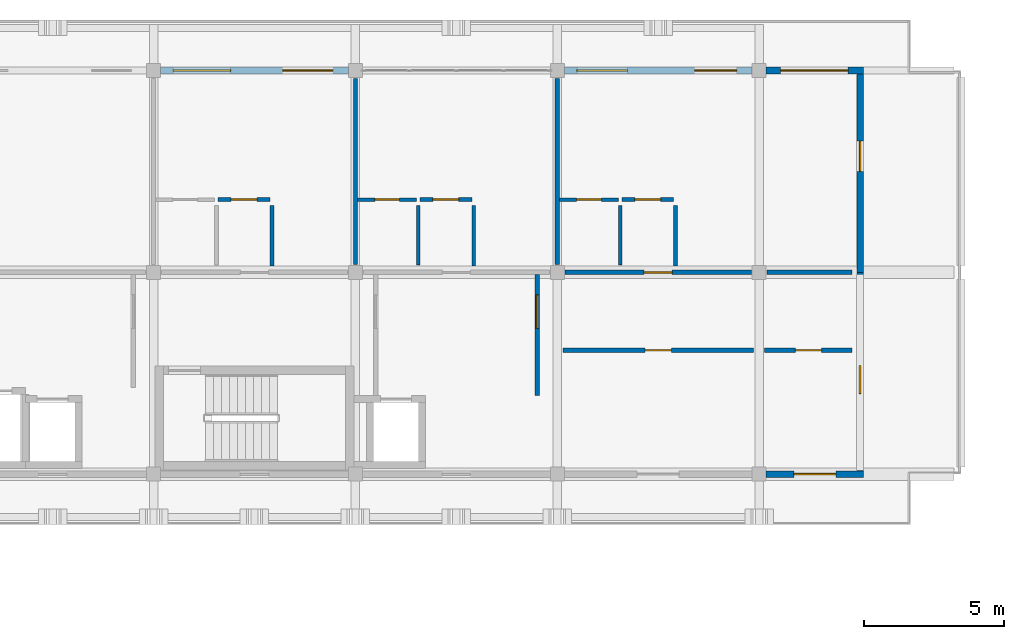
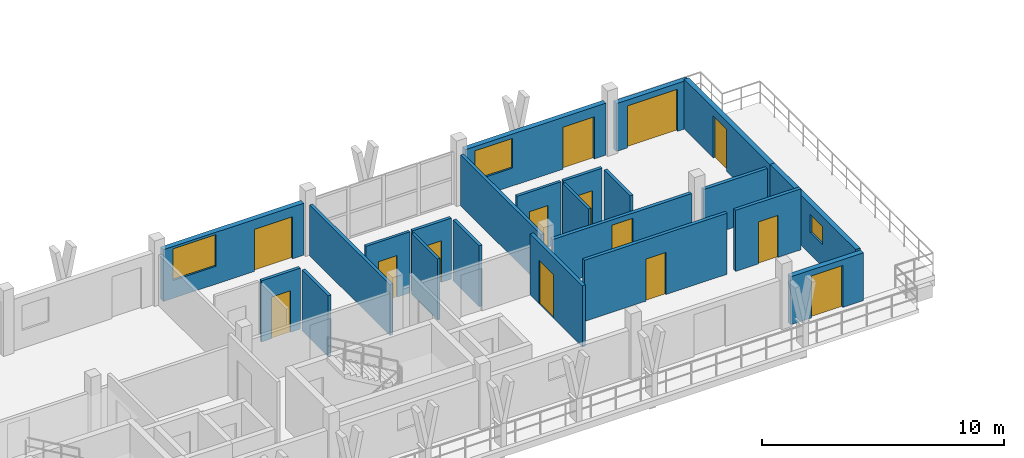
# One storey, part 15 of 19: 23 walls, 14 doors, 3 windows, 17 openings.
"""IFC4 building model written with IfcOpenShell, lengths in metres."""

from ifc_helpers import new_model, si_unit, direction, frame, frame_2d, origin, place, context, subcontext, project, spatial, rectangle, extrude, material, layer, layer_set, type_object, element, fill, save


model = new_model("IFC4")

# Units and contexts
model_context = context("Model", 3, precision=1e-05, world=origin(), true_north=direction((0.0, 1.0)))
body_context = subcontext(model_context, "Body", "Model", "MODEL_VIEW")
ifc_project = project(units=[si_unit("LENGTHUNIT", "METRE"), si_unit("AREAUNIT", "SQUARE_METRE"), si_unit("VOLUMEUNIT", "CUBIC_METRE"), si_unit("PLANEANGLEUNIT", "RADIAN"), si_unit("MASSUNIT", "GRAM", prefix="KILO")], contexts=[model_context])

# Site, building, storey
site_placement = place(None, origin())
site = spatial("IfcSite", under=ifc_project, at=site_placement, CompositionType="ELEMENT")
building_placement = place(site_placement, origin())
building = spatial("IfcBuilding", under=site, at=building_placement, Name="Suanplinth Sawtooth Commons", CompositionType="ELEMENT")
storey_placement = place(building_placement, frame((0.0, 0.0, 44.39990234375)))
storey = spatial("IfcBuildingStorey", under=building, at=storey_placement, Name="L13", CompositionType="ELEMENT", Elevation=44.39990234375)

# Wall, openings, door, window
ifc_material_1 = material(Name="Precast concrete C40/50", Category="concrete")
ifc_layer_1 = layer(ifc_material_1, 0.239990234375, Name="Upper insulated precast facade wall 240mm")
ifc_layer_set_1 = layer_set([ifc_layer_1], Name="Precast concrete C40/50")
wall_type_1 = type_object("IfcWallType", Name="W-EX03", PredefinedType="ELEMENTEDWALL", material=ifc_layer_set_1)
wall_1_placement = place(storey_placement, frame((57.85009765625, 122.39990234375, 0.0), z_axis=(0.0, 0.0, 1.0), x_axis=(1.0, 0.0, 0.0)))
wall_1 = element("IfcWall", 1, at=wall_1_placement, inside=storey, type_object=wall_type_1, Name="Facade Wall W-L13-A-N-4", PredefinedType="ELEMENTEDWALL", context=body_context, shape_type="SweptSolid", body=[
    extrude(rectangle(XDim=6.699951171875, YDim=0.239990234375, at=frame_2d((3.35009765625, 0.0))), origin(), (0.0, 0.0, 1.0), 2.614990234375),
])
opening_1_placement = place(wall_1_placement, frame((4.35009765625, 0.0, 0.0)))
opening_1 = element("IfcOpeningElement", 2, at=opening_1_placement, cuts=wall_1, Name="Opening ED0838", PredefinedType="OPENING", context=body_context, shape_type="SweptSolid", body=[
    extrude(rectangle(XDim=1.800048828125, YDim=2.1201171875, at=frame_2d((0.89990234375, 1.06005859375))), frame((0.0, 0.134765625, 0.0), z_axis=(0.0, -1.0, 0.0), x_axis=(1.0, 0.0, 0.0)), (0.0, 0.0, 1.0), 0.269775390625),
])
opening_2_placement = place(wall_1_placement, frame((0.449951171875, 0.0, 0.89990234375)))
opening_2 = element("IfcOpeningElement", 3, at=opening_2_placement, cuts=wall_1, Name="Opening W0921", PredefinedType="OPENING", context=body_context, shape_type="SweptSolid", body=[
    extrude(rectangle(XDim=2.050048828125, YDim=1.60009765625, at=frame_2d((1.02490234375, 0.800048828125))), frame((0.0, 0.134765625, 0.0), z_axis=(0.0, -1.0, 0.0), x_axis=(1.0, 0.0, 0.0)), (0.0, 0.0, 1.0), 0.269775390625),
])
ifc_material_2 = material(Name="Anodized aluminium and low-E glass", Category="aluminium")
door_type_1 = type_object("IfcDoorType", Name="SD-01", OperationType="SLIDING_TO_LEFT", PredefinedType="DOOR", material=ifc_material_2)
door_1_placement = place(opening_1_placement, frame((1.800048828125, 0.0, 0.0), z_axis=(0.0, 0.0, 1.0), x_axis=(-1.0, 0.0, 0.0)))
door_1 = element("IfcDoor", 4, at=door_1_placement, inside=storey, type_object=door_type_1, Name="Balcony Sliding Door L13-A-N-4", OperationType="SLIDING_TO_LEFT", OverallHeight=2.1201171875, OverallWidth=1.800048828125, PredefinedType="DOOR", context=body_context, shape_type="SweptSolid", body=[
    extrude(rectangle(XDim=1.800048828125, YDim=2.1201171875, at=frame_2d((0.89990234375, 1.06005859375))), frame((0.0, 0.02490234375, 0.0), z_axis=(0.0, -1.0, 0.0), x_axis=(1.0, 0.0, 0.0)), (0.0, 0.0, 1.0), 0.050048828125),
])
fill(opening_1, door_1)
ifc_material_3 = material(Name="Thermally broken aluminium and low-E double glazing", Category="aluminium")
window_type_1 = type_object("IfcWindowType", Name="WN-25", PartitioningType="DOUBLE_PANEL_VERTICAL", PredefinedType="WINDOW", material=ifc_material_3)
window_1_placement = place(opening_2_placement, origin())
window_1 = element("IfcWindow", 5, at=window_1_placement, inside=storey, type_object=window_type_1, Name="Window L13-A-N-4", OverallHeight=1.60009765625, OverallWidth=2.050048828125, PartitioningType="DOUBLE_PANEL_VERTICAL", PredefinedType="WINDOW", context=body_context, shape_type="SweptSolid", body=[
    extrude(rectangle(XDim=2.050048828125, YDim=1.60009765625, at=frame_2d((1.02490234375, 0.800048828125))), frame((0.0, 0.030029296875, 0.0), z_axis=(0.0, -1.0, 0.0), x_axis=(1.0, 0.0, 0.0)), (0.0, 0.0, 1.0), 0.06005859375),
])
fill(opening_2, window_1)

wall_2_placement = place(storey_placement, frame((72.25, 122.39990234375, 0.0), z_axis=(0.0, 0.0, 1.0), x_axis=(1.0, 0.0, 0.0)))
wall_2 = element("IfcWall", 6, at=wall_2_placement, inside=storey, type_object=wall_type_1, Name="Facade Wall W-L13-A-N-6", PredefinedType="ELEMENTEDWALL", context=body_context, shape_type="SweptSolid", body=[
    extrude(rectangle(XDim=6.699951171875, YDim=0.239990234375, at=frame_2d((3.35009765625, 0.0))), origin(), (0.0, 0.0, 1.0), 2.614990234375),
])
opening_3_placement = place(wall_2_placement, frame((4.64990234375, 0.0, 0.0)))
opening_3 = element("IfcOpeningElement", 7, at=opening_3_placement, cuts=wall_2, Name="Opening ED0839", PredefinedType="OPENING", context=body_context, shape_type="SweptSolid", body=[
    extrude(rectangle(XDim=1.5, YDim=2.1201171875, at=frame_2d((0.75, 1.06005859375))), frame((0.0, 0.134765625, 0.0), z_axis=(0.0, -1.0, 0.0), x_axis=(1.0, 0.0, 0.0)), (0.0, 0.0, 1.0), 0.269775390625),
])
opening_4_placement = place(wall_2_placement, frame((0.449951171875, 0.0, 0.89990234375)))
opening_4 = element("IfcOpeningElement", 8, at=opening_4_placement, cuts=wall_2, Name="Opening W0924", PredefinedType="OPENING", context=body_context, shape_type="SweptSolid", body=[
    extrude(rectangle(XDim=1.800048828125, YDim=1.5, at=frame_2d((0.89990234375, 0.75))), frame((0.0, 0.134765625, 0.0), z_axis=(0.0, -1.0, 0.0), x_axis=(1.0, 0.0, 0.0)), (0.0, 0.0, 1.0), 0.269775390625),
])
door_type_2 = type_object("IfcDoorType", Name="SD-03", OperationType="SLIDING_TO_LEFT", PredefinedType="DOOR", material=ifc_material_2)
door_2_placement = place(opening_3_placement, frame((1.5, 0.0, 0.0), z_axis=(0.0, 0.0, 1.0), x_axis=(-1.0, 0.0, 0.0)))
door_2 = element("IfcDoor", 9, at=door_2_placement, inside=storey, type_object=door_type_2, Name="Balcony Sliding Door L13-A-N-6", OperationType="SLIDING_TO_LEFT", OverallHeight=2.1201171875, OverallWidth=1.5, PredefinedType="DOOR", context=body_context, shape_type="SweptSolid", body=[
    extrude(rectangle(XDim=1.5, YDim=2.1201171875, at=frame_2d((0.75, 1.06005859375))), frame((0.0, 0.02490234375, 0.0), z_axis=(0.0, -1.0, 0.0), x_axis=(1.0, 0.0, 0.0)), (0.0, 0.0, 1.0), 0.050048828125),
])
fill(opening_3, door_2)
window_type_2 = type_object("IfcWindowType", Name="WN-01", PartitioningType="DOUBLE_PANEL_VERTICAL", PredefinedType="WINDOW", material=ifc_material_3)
window_2_placement = place(opening_4_placement, origin())
window_2 = element("IfcWindow", 10, at=window_2_placement, inside=storey, type_object=window_type_2, Name="Window L13-A-N-6", OverallHeight=1.5, OverallWidth=1.800048828125, PartitioningType="DOUBLE_PANEL_VERTICAL", PredefinedType="WINDOW", context=body_context, shape_type="SweptSolid", body=[
    extrude(rectangle(XDim=1.800048828125, YDim=1.5, at=frame_2d((0.89990234375, 0.75))), frame((0.0, 0.030029296875, 0.0), z_axis=(0.0, -1.0, 0.0), x_axis=(1.0, 0.0, 0.0)), (0.0, 0.0, 1.0), 0.06005859375),
])
fill(opening_4, window_2)

# Wall, opening, door
wall_3_placement = place(storey_placement, frame((79.449951171875, 122.39990234375, 0.0), z_axis=(0.0, 0.0, 1.0), x_axis=(1.0, 0.0, 0.0)))
wall_3 = element("IfcWall", 11, at=wall_3_placement, inside=storey, type_object=wall_type_1, Name="Facade Wall W-L13-A-N-7", PredefinedType="ELEMENTEDWALL", context=body_context, shape_type="SweptSolid", body=[
    extrude(rectangle(XDim=3.469970703125, YDim=0.239990234375, at=frame_2d((1.73486328125, 0.0))), origin(), (0.0, 0.0, 1.0), 2.4150390625),
])
opening_5_placement = place(wall_3_placement, frame((0.52001953125, 0.0, 0.0)))
opening_5 = element("IfcOpeningElement", 12, at=opening_5_placement, cuts=wall_3, Name="Opening ED0841", PredefinedType="OPENING", context=body_context, shape_type="SweptSolid", body=[
    extrude(rectangle(XDim=2.39990234375, YDim=2.1201171875, at=frame_2d((1.199951171875, 1.06005859375))), frame((0.0, 0.134765625, 0.0), z_axis=(0.0, -1.0, 0.0), x_axis=(1.0, 0.0, 0.0)), (0.0, 0.0, 1.0), 0.269775390625),
])
door_type_3 = type_object("IfcDoorType", Name="SD-04", OperationType="DOUBLE_DOOR_SLIDING", PredefinedType="DOOR", material=ifc_material_2)
door_3_placement = place(opening_5_placement, frame((2.39990234375, 0.0, 0.0), z_axis=(0.0, 0.0, 1.0), x_axis=(-1.0, 0.0, 0.0)))
door_3 = element("IfcDoor", 13, at=door_3_placement, inside=storey, type_object=door_type_3, Name="Balcony Sliding Door L13-A-N-7", OperationType="DOUBLE_DOOR_SLIDING", OverallHeight=2.1201171875, OverallWidth=2.39990234375, PredefinedType="DOOR", context=body_context, shape_type="SweptSolid", body=[
    extrude(rectangle(XDim=2.39990234375, YDim=2.1201171875, at=frame_2d((1.199951171875, 1.06005859375))), frame((0.0, 0.02490234375, 0.0), z_axis=(0.0, -1.0, 0.0), x_axis=(1.0, 0.0, 0.0)), (0.0, 0.0, 1.0), 0.050048828125),
])
fill(opening_5, door_3)

wall_4_placement = place(storey_placement, frame((79.449951171875, 108.0, 0.0), z_axis=(0.0, 0.0, 1.0), x_axis=(1.0, 0.0, 0.0)))
wall_4 = element("IfcWall", 14, at=wall_4_placement, inside=storey, type_object=wall_type_1, Name="Courtyard Wall W-L13-A-S-7", PredefinedType="ELEMENTEDWALL", context=body_context, shape_type="SweptSolid", body=[
    extrude(rectangle(XDim=3.469970703125, YDim=0.239990234375, at=frame_2d((1.73486328125, 0.0))), origin(), (0.0, 0.0, 1.0), 2.4150390625),
])
opening_6_placement = place(wall_4_placement, frame((0.985107421875, 0.0, 0.0)))
opening_6 = element("IfcOpeningElement", 15, at=opening_6_placement, cuts=wall_4, Name="Opening ED0842", PredefinedType="OPENING", context=body_context, shape_type="SweptSolid", body=[
    extrude(rectangle(XDim=1.5, YDim=2.1201171875, at=frame_2d((0.75, 1.06005859375))), frame((0.0, 0.134765625, 0.0), z_axis=(0.0, -1.0, 0.0), x_axis=(1.0, 0.0, 0.0)), (0.0, 0.0, 1.0), 0.269775390625),
])
door_4_placement = place(opening_6_placement, frame((1.5, 0.0, 0.0), z_axis=(0.0, 0.0, 1.0), x_axis=(-1.0, 0.0, 0.0)))
door_4 = element("IfcDoor", 16, at=door_4_placement, inside=storey, type_object=door_type_2, Name="Courtyard Balcony Sliding Door L13-A-S-7", OperationType="SLIDING_TO_LEFT", OverallHeight=2.1201171875, OverallWidth=1.5, PredefinedType="DOOR", context=body_context, shape_type="SweptSolid", body=[
    extrude(rectangle(XDim=1.5, YDim=2.1201171875, at=frame_2d((0.75, 1.06005859375))), frame((0.0, 0.02490234375, 0.0), z_axis=(0.0, -1.0, 0.0), x_axis=(1.0, 0.0, 0.0)), (0.0, 0.0, 1.0), 0.050048828125),
])
fill(opening_6, door_4)

# Wall, opening, window
ifc_layer_2 = layer(ifc_material_1, 0.22998046875, Name="Stepped terrace insulated precast wall 230mm")
ifc_layer_set_2 = layer_set([ifc_layer_2], Name="Precast concrete C40/50")
wall_type_2 = type_object("IfcWallType", Name="W-EX06", PredefinedType="ELEMENTEDWALL", material=ifc_layer_set_2)
wall_5_placement = place(storey_placement, frame((82.800048828125, 108.1201171875, 0.0), z_axis=(0.0, 0.0, 1.0), x_axis=(0.0, 1.0, 0.0)))
wall_5 = element("IfcWall", 17, at=wall_5_placement, inside=storey, type_object=wall_type_2, Name="End Wall W-L13-A-E-15", PredefinedType="ELEMENTEDWALL", context=body_context, shape_type="SweptSolid", body=[
    extrude(rectangle(XDim=7.079833984375, YDim=0.22998046875, at=frame_2d((3.5400390625, 0.0))), origin(), (0.0, 0.0, 1.0), 2.51513671875),
])
opening_7_placement = place(wall_5_placement, frame((2.75, 0.0, 1.10009765625)))
opening_7 = element("IfcOpeningElement", 18, at=opening_7_placement, cuts=wall_5, Name="Opening W0926", PredefinedType="OPENING", context=body_context, shape_type="SweptSolid", body=[
    extrude(rectangle(XDim=1.0, YDim=0.89990234375, at=frame_2d((0.5, 0.449951171875))), frame((0.0, 0.1298828125, 0.0), z_axis=(0.0, -1.0, 0.0), x_axis=(1.0, 0.0, 0.0)), (0.0, 0.0, 1.0), 0.259765625),
])
window_type_3 = type_object("IfcWindowType", Name="WN-12", PartitioningType="SINGLE_PANEL", PredefinedType="WINDOW", material=ifc_material_3)
window_3_placement = place(opening_7_placement, origin())
window_3 = element("IfcWindow", 19, at=window_3_placement, inside=storey, type_object=window_type_3, Name="End Window L13-A-E-15", OverallHeight=0.89990234375, OverallWidth=1.0, PartitioningType="SINGLE_PANEL", PredefinedType="WINDOW", context=body_context, shape_type="SweptSolid", body=[
    extrude(rectangle(XDim=1.0, YDim=0.89990234375, at=frame_2d((0.5, 0.449951171875))), frame((0.0, 0.030029296875, 0.0), z_axis=(0.0, -1.0, 0.0), x_axis=(1.0, 0.0, 0.0)), (0.0, 0.0, 1.0), 0.06005859375),
])
fill(opening_7, window_3)

# Wall, opening, door
wall_6_placement = place(storey_placement, frame((82.800048828125, 115.199951171875, 0.0), z_axis=(0.0, 0.0, 1.0), x_axis=(0.0, 1.0, 0.0)))
wall_6 = element("IfcWall", 20, at=wall_6_placement, inside=storey, type_object=wall_type_2, Name="End Wall W-L13-A-E-16", PredefinedType="ELEMENTEDWALL", context=body_context, shape_type="SweptSolid", body=[
    extrude(rectangle(XDim=7.080078125, YDim=0.22998046875, at=frame_2d((3.5400390625, 0.0))), origin(), (0.0, 0.0, 1.0), 2.51513671875),
])
opening_8_placement = place(wall_6_placement, frame((3.60009765625, 0.0, 0.0)))
opening_8 = element("IfcOpeningElement", 21, at=opening_8_placement, cuts=wall_6, Name="Opening ED0844", PredefinedType="OPENING", context=body_context, shape_type="SweptSolid", body=[
    extrude(rectangle(XDim=1.080078125, YDim=2.1201171875, at=frame_2d((0.5400390625, 1.06005859375))), frame((0.0, 0.1298828125, 0.0), z_axis=(0.0, -1.0, 0.0), x_axis=(1.0, 0.0, 0.0)), (0.0, 0.0, 1.0), 0.259765625),
])
door_type_4 = type_object("IfcDoorType", Name="ED-10", OperationType="NOTDEFINED", PredefinedType="DOOR", material=ifc_material_2)
door_5_placement = place(opening_8_placement, frame((1.080078125, 0.0, 0.0), z_axis=(0.0, 0.0, 1.0), x_axis=(-1.0, 0.0, 0.0)))
door_5 = element("IfcDoor", 22, at=door_5_placement, inside=storey, type_object=door_type_4, Name="L13 Block A E Stepped Terrace Door", OperationType="SINGLE_SWING_LEFT", OverallHeight=2.1201171875, OverallWidth=1.080078125, PredefinedType="DOOR", context=body_context, shape_type="SweptSolid", body=[
    extrude(rectangle(XDim=1.080078125, YDim=2.1201171875, at=frame_2d((0.5400390625, 1.06005859375))), frame((0.0, 0.02490234375, 0.0), z_axis=(0.0, -1.0, 0.0), x_axis=(1.0, 0.0, 0.0)), (0.0, 0.0, 1.0), 0.050048828125),
])
fill(opening_8, door_5)

ifc_layer_3 = layer(ifc_material_1, 0.159912109375, Name="Fire-rated corridor and lobby wall 160mm")
ifc_layer_set_3 = layer_set([ifc_layer_3], Name="Precast concrete C40/50")
wall_type_3 = type_object("IfcWallType", Name="W-FW01", PredefinedType="PARTITIONING", material=ifc_layer_set_3)
wall_7_placement = place(storey_placement, frame((71.280029296875, 110.800048828125, 0.0), z_axis=(0.0, 0.0, 1.0), x_axis=(0.0, 1.0, 0.0)))
wall_7 = element("IfcWall", 23, at=wall_7_placement, inside=storey, type_object=wall_type_3, Name="W-L13-C-A2-LOB-E", PredefinedType="PARTITIONING", context=body_context, shape_type="SweptSolid", body=[
    extrude(rectangle(XDim=4.320068359375, YDim=0.159912109375, at=frame_2d((2.16015625, 0.0))), origin(), (0.0, 0.0, 1.0), 3.080078125),
])
opening_9_placement = place(wall_7_placement, frame((2.39990234375, 0.0, 0.0)))
opening_9 = element("IfcOpeningElement", 24, at=opening_9_placement, cuts=wall_7, Name="Opening FD0144", PredefinedType="OPENING", context=body_context, shape_type="SweptSolid", body=[
    extrude(rectangle(XDim=1.199951171875, YDim=2.199951171875, at=frame_2d((0.60009765625, 1.10009765625))), frame((0.0, 0.0947265625, 0.0), z_axis=(0.0, -1.0, 0.0), x_axis=(1.0, 0.0, 0.0)), (0.0, 0.0, 1.0), 0.189697265625),
])
ifc_material_4 = material(Name="Teak hardwood fire-rated door assembly", Category="wood")
door_type_5 = type_object("IfcDoorType", Name="FD-02", OperationType="NOTDEFINED", PredefinedType="DOOR", material=ifc_material_4)
door_6_placement = place(opening_9_placement, frame((1.199951171875, 0.0, 0.0), z_axis=(0.0, 0.0, 1.0), x_axis=(-1.0, 0.0, 0.0)))
door_6 = element("IfcDoor", 25, at=door_6_placement, inside=storey, type_object=door_type_5, Name="Lobby Fire Door FD0144", OperationType="SINGLE_SWING_LEFT", OverallHeight=2.199951171875, OverallWidth=1.199951171875, PredefinedType="DOOR", context=body_context, shape_type="SweptSolid", body=[
    extrude(rectangle(XDim=1.199951171875, YDim=2.199951171875, at=frame_2d((0.60009765625, 1.10009765625))), frame((0.0, 0.02490234375, 0.0), z_axis=(0.0, -1.0, 0.0), x_axis=(1.0, 0.0, 0.0)), (0.0, 0.0, 1.0), 0.050048828125),
])
fill(opening_9, door_6)

wall_8_placement = place(storey_placement, frame((72.280029296875, 115.199951171875, 0.0), z_axis=(0.0, 0.0, 1.0), x_axis=(1.0, 0.0, 0.0)))
wall_8 = element("IfcWall", 26, at=wall_8_placement, inside=storey, type_object=wall_type_3, Name="W-A-L13-U05-COR-S1", PredefinedType="PARTITIONING", context=body_context, shape_type="SweptSolid", body=[
    extrude(rectangle(XDim=6.639892578125, YDim=0.159912109375, at=frame_2d((3.31982421875, 0.0))), origin(), (0.0, 0.0, 1.0), 2.4150390625),
])
opening_10_placement = place(wall_8_placement, frame((2.820068359375, 0.0, 0.0)))
opening_10 = element("IfcOpeningElement", 27, at=opening_10_placement, cuts=wall_8, Name="Opening FD2048", PredefinedType="OPENING", context=body_context, shape_type="SweptSolid", body=[
    extrude(rectangle(XDim=1.0, YDim=2.14990234375, at=frame_2d((0.5, 1.074951171875))), frame((0.0, 0.0947265625, 0.0), z_axis=(0.0, -1.0, 0.0), x_axis=(1.0, 0.0, 0.0)), (0.0, 0.0, 1.0), 0.189697265625),
])
door_type_6 = type_object("IfcDoorType", Name="FD-03", OperationType="NOTDEFINED", PredefinedType="DOOR", material=ifc_material_4)
door_7_placement = place(opening_10_placement, origin())
door_7 = element("IfcDoor", 28, at=door_7_placement, inside=storey, type_object=door_type_6, Name="Unit Entrance Door FD2048", OperationType="SINGLE_SWING_RIGHT", OverallHeight=2.14990234375, OverallWidth=1.0, PredefinedType="DOOR", context=body_context, shape_type="SweptSolid", body=[
    extrude(rectangle(XDim=1.0, YDim=2.14990234375, at=frame_2d((0.5, 1.074951171875))), frame((0.0, 0.02490234375, 0.0), z_axis=(0.0, -1.0, 0.0), x_axis=(1.0, 0.0, 0.0)), (0.0, 0.0, 1.0), 0.050048828125),
])
fill(opening_10, door_7)

# Wall
wall_9_placement = place(storey_placement, frame((79.47998046875, 115.199951171875, 0.0), z_axis=(0.0, 0.0, 1.0), x_axis=(1.0, 0.0, 0.0)))
element("IfcWall", 29, at=wall_9_placement, inside=storey, type_object=wall_type_3, Name="W-A-L13-U05-COR-S2", PredefinedType="PARTITIONING", context=body_context, shape_type="SweptSolid", body=[
    extrude(rectangle(XDim=3.0400390625, YDim=0.159912109375, at=frame_2d((1.52001953125, 0.0))), origin(), (0.0, 0.0, 1.0), 2.4150390625),
])

# Wall, opening, door
wall_10_placement = place(storey_placement, frame((72.199951171875, 112.419921875, 0.0), z_axis=(0.0, 0.0, 1.0), x_axis=(1.0, 0.0, 0.0)))
wall_10 = element("IfcWall", 30, at=wall_10_placement, inside=storey, type_object=wall_type_3, Name="W-A-L13-COURTROOM-7-COR", PredefinedType="PARTITIONING", context=body_context, shape_type="SweptSolid", body=[
    extrude(rectangle(XDim=6.800048828125, YDim=0.159912109375, at=frame_2d((3.39990234375, 0.0))), origin(), (0.0, 0.0, 1.0), 3.080078125),
])
opening_11_placement = place(wall_10_placement, frame((2.929931640625, 0.0, 0.0)))
opening_11 = element("IfcOpeningElement", 31, at=opening_11_placement, cuts=wall_10, Name="Opening D2053", PredefinedType="OPENING", context=body_context, shape_type="SweptSolid", body=[
    extrude(rectangle(XDim=0.93994140625, YDim=2.1201171875, at=frame_2d((0.469970703125, 1.06005859375))), frame((0.0, 0.0947265625, 0.0), z_axis=(0.0, -1.0, 0.0), x_axis=(1.0, 0.0, 0.0)), (0.0, 0.0, 1.0), 0.189697265625),
])
ifc_material_5 = material(Name="Teak hardwood", Category="wood")
door_type_7 = type_object("IfcDoorType", Name="D-15", OperationType="NOTDEFINED", PredefinedType="DOOR", material=ifc_material_5)
door_8_placement = place(opening_11_placement, frame((0.93994140625, 0.0, 0.0), z_axis=(0.0, 0.0, 1.0), x_axis=(-1.0, 0.0, 0.0)))
door_8 = element("IfcDoor", 32, at=door_8_placement, inside=storey, type_object=door_type_7, Name="Study Studio Door D2053", OperationType="SINGLE_SWING_LEFT", OverallHeight=2.1201171875, OverallWidth=0.93994140625, PredefinedType="DOOR", context=body_context, shape_type="SweptSolid", body=[
    extrude(rectangle(XDim=0.93994140625, YDim=2.1201171875, at=frame_2d((0.469970703125, 1.06005859375))), frame((0.0, 0.02490234375, 0.0), z_axis=(0.0, -1.0, 0.0), x_axis=(1.0, 0.0, 0.0)), (0.0, 0.0, 1.0), 0.050048828125),
])
fill(opening_11, door_8)

wall_11_placement = place(storey_placement, frame((79.39990234375, 112.419921875, 0.0), z_axis=(0.0, 0.0, 1.0), x_axis=(1.0, 0.0, 0.0)))
wall_11 = element("IfcWall", 33, at=wall_11_placement, inside=storey, type_object=wall_type_3, Name="W-A-L13-COURTROOM-8-COR", PredefinedType="PARTITIONING", context=body_context, shape_type="SweptSolid", body=[
    extrude(rectangle(XDim=3.1201171875, YDim=0.159912109375, at=frame_2d((1.56005859375, 0.0))), origin(), (0.0, 0.0, 1.0), 3.080078125),
])
opening_12_placement = place(wall_11_placement, frame((1.090087890625, 0.0, 0.0)))
opening_12 = element("IfcOpeningElement", 34, at=opening_12_placement, cuts=wall_11, Name="Opening D2054", PredefinedType="OPENING", context=body_context, shape_type="SweptSolid", body=[
    extrude(rectangle(XDim=0.93994140625, YDim=2.1201171875, at=frame_2d((0.469970703125, 1.06005859375))), frame((0.0, 0.0947265625, 0.0), z_axis=(0.0, -1.0, 0.0), x_axis=(1.0, 0.0, 0.0)), (0.0, 0.0, 1.0), 0.189697265625),
])
door_9_placement = place(opening_12_placement, frame((0.93994140625, 0.0, 0.0), z_axis=(0.0, 0.0, 1.0), x_axis=(-1.0, 0.0, 0.0)))
door_9 = element("IfcDoor", 35, at=door_9_placement, inside=storey, type_object=door_type_7, Name="Study Studio Door D2054", OperationType="SINGLE_SWING_RIGHT", OverallHeight=2.1201171875, OverallWidth=0.93994140625, PredefinedType="DOOR", context=body_context, shape_type="SweptSolid", body=[
    extrude(rectangle(XDim=0.93994140625, YDim=2.1201171875, at=frame_2d((0.469970703125, 1.06005859375))), frame((0.0, 0.02490234375, 0.0), z_axis=(0.0, -1.0, 0.0), x_axis=(1.0, 0.0, 0.0)), (0.0, 0.0, 1.0), 0.050048828125),
])
fill(opening_12, door_9)

# Walls
ifc_layer_4 = layer(ifc_material_1, 0.14990234375, Name="Acoustic precast party demising wall 150mm")
ifc_layer_set_4 = layer_set([ifc_layer_4], Name="Precast concrete C40/50")
wall_type_4 = type_object("IfcWallType", Name="W-FW02", PredefinedType="PARTITIONING", material=ifc_layer_set_4)
for number, where, z_axis, x_axis, name in (
    (36, (64.800048828125, 115.47998046875, 0.0), (0.0, 0.0, 1.0), (0.0, 1.0, 0.0), "W-A-L13-U03-PTY"),
    (37, (72.0, 115.47998046875, 0.0), (0.0, 0.0, 1.0), (0.0, 1.0, 0.0), "W-A-L13-U04-PTY"),
):
    element("IfcWall", number, at=place(storey_placement, frame(where, z_axis=z_axis, x_axis=x_axis)), inside=storey, type_object=wall_type_4, Name=name, PredefinedType="PARTITIONING", context=body_context, shape_type="SweptSolid", body=[
        extrude(rectangle(XDim=6.64013671875, YDim=0.14990234375, at=frame_2d((3.320068359375, 0.0))), origin(), (0.0, 0.0, 1.0), 2.565185546875),
    ])

# Wall, opening, door
ifc_material_6 = material(Name="Gypsum plasterboard on steel stud", Category="steel")
ifc_layer_5 = layer(ifc_material_6, 0.139892578125, Name="Fire-rated kitchen partition 140mm")
ifc_layer_set_5 = layer_set([ifc_layer_5], Name="Gypsum plasterboard on steel stud")
wall_type_5 = type_object("IfcWallType", Name="W-PT01", PredefinedType="PARTITIONING", material=ifc_layer_set_5)
wall_12_placement = place(storey_placement, frame((59.89990234375, 117.800048828125, 0.0), z_axis=(0.0, 0.0, 1.0), x_axis=(1.0, 0.0, 0.0)))
wall_12 = element("IfcWall", 38, at=wall_12_placement, inside=storey, type_object=wall_type_5, Name="W-A-L13-U03-KIT1", PredefinedType="PARTITIONING", context=body_context, shape_type="SweptSolid", body=[
    extrude(rectangle(XDim=1.85009765625, YDim=0.139892578125, at=frame_2d((0.925048828125, 0.0))), origin(), (0.0, 0.0, 1.0), 3.080078125),
])
opening_13_placement = place(wall_12_placement, frame((0.465087890625, 0.0, 0.0)))
opening_13 = element("IfcOpeningElement", 39, at=opening_13_placement, cuts=wall_12, Name="Opening D2044", PredefinedType="OPENING", context=body_context, shape_type="SweptSolid", body=[
    extrude(rectangle(XDim=0.919921875, YDim=2.10009765625, at=frame_2d((0.4599609375, 1.050048828125))), frame((0.0, 0.0849609375, 0.0), z_axis=(0.0, -1.0, 0.0), x_axis=(1.0, 0.0, 0.0)), (0.0, 0.0, 1.0), 0.169677734375),
])
door_type_8 = type_object("IfcDoorType", Name="D-02", OperationType="NOTDEFINED", PredefinedType="DOOR", material=ifc_material_5)
door_10_placement = place(opening_13_placement, frame((0.919921875, 0.0, 0.0), z_axis=(0.0, 0.0, 1.0), x_axis=(-1.0, 0.0, 0.0)))
door_10 = element("IfcDoor", 40, at=door_10_placement, inside=storey, type_object=door_type_8, Name="Kitchen Door D2044", OperationType="SINGLE_SWING_RIGHT", OverallHeight=2.10009765625, OverallWidth=0.919921875, PredefinedType="DOOR", context=body_context, shape_type="SweptSolid", body=[
    extrude(rectangle(XDim=0.919921875, YDim=2.10009765625, at=frame_2d((0.4599609375, 1.050048828125))), frame((0.0, 0.02490234375, 0.0), z_axis=(0.0, -1.0, 0.0), x_axis=(1.0, 0.0, 0.0)), (0.0, 0.0, 1.0), 0.050048828125),
])
fill(opening_13, door_10)

# Wall
wall_13_placement = place(storey_placement, frame((61.820068359375, 115.429931640625, 0.0), z_axis=(0.0, 0.0, 1.0), x_axis=(0.0, 1.0, 0.0)))
element("IfcWall", 41, at=wall_13_placement, inside=storey, type_object=wall_type_5, Name="W-A-L13-U03-KIT2", PredefinedType="PARTITIONING", context=body_context, shape_type="SweptSolid", body=[
    extrude(rectangle(XDim=2.150146484375, YDim=0.139892578125, at=frame_2d((1.0751953125, 0.0))), origin(), (0.0, 0.0, 1.0), 3.080078125),
])

# Wall, opening, door
wall_14_placement = place(storey_placement, frame((67.10009765625, 117.800048828125, 0.0), z_axis=(0.0, 0.0, 1.0), x_axis=(1.0, 0.0, 0.0)))
wall_14 = element("IfcWall", 42, at=wall_14_placement, inside=storey, type_object=wall_type_5, Name="W-A-L13-U04-KIT1", PredefinedType="PARTITIONING", context=body_context, shape_type="SweptSolid", body=[
    extrude(rectangle(XDim=1.849853515625, YDim=0.139892578125, at=frame_2d((0.9248046875, 0.0))), origin(), (0.0, 0.0, 1.0), 3.080078125),
])
opening_14_placement = place(wall_14_placement, frame((0.465087890625, 0.0, 0.0)))
opening_14 = element("IfcOpeningElement", 43, at=opening_14_placement, cuts=wall_14, Name="Opening D2047", PredefinedType="OPENING", context=body_context, shape_type="SweptSolid", body=[
    extrude(rectangle(XDim=0.919921875, YDim=2.10009765625, at=frame_2d((0.4599609375, 1.050048828125))), frame((0.0, 0.0849609375, 0.0), z_axis=(0.0, -1.0, 0.0), x_axis=(1.0, 0.0, 0.0)), (0.0, 0.0, 1.0), 0.169677734375),
])
door_11_placement = place(opening_14_placement, frame((0.919921875, 0.0, 0.0), z_axis=(0.0, 0.0, 1.0), x_axis=(-1.0, 0.0, 0.0)))
door_11 = element("IfcDoor", 44, at=door_11_placement, inside=storey, type_object=door_type_8, Name="Kitchen Door D2047", OperationType="SINGLE_SWING_LEFT", OverallHeight=2.10009765625, OverallWidth=0.919921875, PredefinedType="DOOR", context=body_context, shape_type="SweptSolid", body=[
    extrude(rectangle(XDim=0.919921875, YDim=2.10009765625, at=frame_2d((0.4599609375, 1.050048828125))), frame((0.0, 0.02490234375, 0.0), z_axis=(0.0, -1.0, 0.0), x_axis=(1.0, 0.0, 0.0)), (0.0, 0.0, 1.0), 0.050048828125),
])
fill(opening_14, door_11)

# Wall
wall_15_placement = place(storey_placement, frame((69.02001953125, 115.429931640625, 0.0), z_axis=(0.0, 0.0, 1.0), x_axis=(0.0, 1.0, 0.0)))
element("IfcWall", 45, at=wall_15_placement, inside=storey, type_object=wall_type_5, Name="W-A-L13-U04-KIT2", PredefinedType="PARTITIONING", context=body_context, shape_type="SweptSolid", body=[
    extrude(rectangle(XDim=2.150146484375, YDim=0.139892578125, at=frame_2d((1.0751953125, 0.0))), origin(), (0.0, 0.0, 1.0), 3.080078125),
])

# Wall, opening, door
wall_16_placement = place(storey_placement, frame((74.300048828125, 117.800048828125, 0.0), z_axis=(0.0, 0.0, 1.0), x_axis=(1.0, 0.0, 0.0)))
wall_16 = element("IfcWall", 46, at=wall_16_placement, inside=storey, type_object=wall_type_5, Name="W-A-L13-U05-KIT1", PredefinedType="PARTITIONING", context=body_context, shape_type="SweptSolid", body=[
    extrude(rectangle(XDim=1.849853515625, YDim=0.139892578125, at=frame_2d((0.9248046875, 0.0))), origin(), (0.0, 0.0, 1.0), 3.080078125),
])
opening_15_placement = place(wall_16_placement, frame((0.465087890625, 0.0, 0.0)))
opening_15 = element("IfcOpeningElement", 47, at=opening_15_placement, cuts=wall_16, Name="Opening D2050", PredefinedType="OPENING", context=body_context, shape_type="SweptSolid", body=[
    extrude(rectangle(XDim=0.919921875, YDim=2.10009765625, at=frame_2d((0.4599609375, 1.050048828125))), frame((0.0, 0.0849609375, 0.0), z_axis=(0.0, -1.0, 0.0), x_axis=(1.0, 0.0, 0.0)), (0.0, 0.0, 1.0), 0.169677734375),
])
door_12_placement = place(opening_15_placement, frame((0.919921875, 0.0, 0.0), z_axis=(0.0, 0.0, 1.0), x_axis=(-1.0, 0.0, 0.0)))
door_12 = element("IfcDoor", 48, at=door_12_placement, inside=storey, type_object=door_type_8, Name="Kitchen Door D2050", OperationType="SINGLE_SWING_RIGHT", OverallHeight=2.10009765625, OverallWidth=0.919921875, PredefinedType="DOOR", context=body_context, shape_type="SweptSolid", body=[
    extrude(rectangle(XDim=0.919921875, YDim=2.10009765625, at=frame_2d((0.4599609375, 1.050048828125))), frame((0.0, 0.02490234375, 0.0), z_axis=(0.0, -1.0, 0.0), x_axis=(1.0, 0.0, 0.0)), (0.0, 0.0, 1.0), 0.050048828125),
])
fill(opening_15, door_12)

# Wall
wall_17_placement = place(storey_placement, frame((76.219970703125, 115.429931640625, 0.0), z_axis=(0.0, 0.0, 1.0), x_axis=(0.0, 1.0, 0.0)))
element("IfcWall", 49, at=wall_17_placement, inside=storey, type_object=wall_type_5, Name="W-A-L13-U05-KIT2", PredefinedType="PARTITIONING", context=body_context, shape_type="SweptSolid", body=[
    extrude(rectangle(XDim=2.150146484375, YDim=0.139892578125, at=frame_2d((1.0751953125, 0.0))), origin(), (0.0, 0.0, 1.0), 3.080078125),
])

# Wall, opening, door
ifc_layer_6 = layer(ifc_material_6, 0.1298828125, Name="Moisture-resistant bathroom partition 130mm")
ifc_layer_set_6 = layer_set([ifc_layer_6], Name="Gypsum plasterboard on steel stud")
wall_type_6 = type_object("IfcWallType", Name="W-PT02", PredefinedType="PARTITIONING", material=ifc_layer_set_6)
wall_18_placement = place(storey_placement, frame((64.8798828125, 117.794921875, 0.0), z_axis=(0.0, 0.0, 1.0), x_axis=(1.0, 0.0, 0.0)))
wall_18 = element("IfcWall", 50, at=wall_18_placement, inside=storey, type_object=wall_type_6, Name="W-A-L13-U04-BTH1", PredefinedType="PARTITIONING", context=body_context, shape_type="SweptSolid", body=[
    extrude(rectangle(XDim=2.10009765625, YDim=0.1298828125, at=frame_2d((1.050048828125, 0.0))), origin(), (0.0, 0.0, 1.0), 3.080078125),
])
opening_16_placement = place(wall_18_placement, frame((0.610107421875, 0.0, 0.0)))
opening_16 = element("IfcOpeningElement", 51, at=opening_16_placement, cuts=wall_18, Name="Opening D2046", PredefinedType="OPENING", context=body_context, shape_type="SweptSolid", body=[
    extrude(rectangle(XDim=0.8798828125, YDim=2.10009765625, at=frame_2d((0.43994140625, 1.050048828125))), frame((0.0, 0.079833984375, 0.0), z_axis=(0.0, -1.0, 0.0), x_axis=(1.0, 0.0, 0.0)), (0.0, 0.0, 1.0), 0.15966796875),
])
door_type_9 = type_object("IfcDoorType", Name="D-14", OperationType="NOTDEFINED", PredefinedType="DOOR", material=ifc_material_5)
door_13_placement = place(opening_16_placement, frame((0.8798828125, 0.0, 0.0), z_axis=(0.0, 0.0, 1.0), x_axis=(-1.0, 0.0, 0.0)))
door_13 = element("IfcDoor", 52, at=door_13_placement, inside=storey, type_object=door_type_9, Name="Bathroom Door D2046", OperationType="SINGLE_SWING_RIGHT", OverallHeight=2.10009765625, OverallWidth=0.8798828125, PredefinedType="DOOR", context=body_context, shape_type="SweptSolid", body=[
    extrude(rectangle(XDim=0.8798828125, YDim=2.10009765625, at=frame_2d((0.43994140625, 1.050048828125))), frame((0.0, 0.02490234375, 0.0), z_axis=(0.0, -1.0, 0.0), x_axis=(1.0, 0.0, 0.0)), (0.0, 0.0, 1.0), 0.050048828125),
])
fill(opening_16, door_13)

# Wall
wall_19_placement = place(storey_placement, frame((67.044921875, 115.4599609375, 0.0), z_axis=(0.0, 0.0, 1.0), x_axis=(0.0, 1.0, 0.0)))
element("IfcWall", 53, at=wall_19_placement, inside=storey, type_object=wall_type_6, Name="W-A-L13-U04-BTH2", PredefinedType="PARTITIONING", context=body_context, shape_type="SweptSolid", body=[
    extrude(rectangle(XDim=2.130126953125, YDim=0.1298828125, at=frame_2d((1.06494140625, 0.0))), origin(), (0.0, 0.0, 1.0), 3.080078125),
])

# Wall, opening, door
wall_20_placement = place(storey_placement, frame((72.080078125, 117.794921875, 0.0), z_axis=(0.0, 0.0, 1.0), x_axis=(1.0, 0.0, 0.0)))
wall_20 = element("IfcWall", 54, at=wall_20_placement, inside=storey, type_object=wall_type_6, Name="W-A-L13-U05-BTH1", PredefinedType="PARTITIONING", context=body_context, shape_type="SweptSolid", body=[
    extrude(rectangle(XDim=2.099853515625, YDim=0.1298828125, at=frame_2d((1.0498046875, 0.0))), origin(), (0.0, 0.0, 1.0), 3.080078125),
])
opening_17_placement = place(wall_20_placement, frame((0.610107421875, 0.0, 0.0)))
opening_17 = element("IfcOpeningElement", 55, at=opening_17_placement, cuts=wall_20, Name="Opening D2049", PredefinedType="OPENING", context=body_context, shape_type="SweptSolid", body=[
    extrude(rectangle(XDim=0.8798828125, YDim=2.10009765625, at=frame_2d((0.43994140625, 1.050048828125))), frame((0.0, 0.079833984375, 0.0), z_axis=(0.0, -1.0, 0.0), x_axis=(1.0, 0.0, 0.0)), (0.0, 0.0, 1.0), 0.15966796875),
])
door_14_placement = place(opening_17_placement, frame((0.8798828125, 0.0, 0.0), z_axis=(0.0, 0.0, 1.0), x_axis=(-1.0, 0.0, 0.0)))
door_14 = element("IfcDoor", 56, at=door_14_placement, inside=storey, type_object=door_type_9, Name="Bathroom Door D2049", OperationType="SINGLE_SWING_LEFT", OverallHeight=2.10009765625, OverallWidth=0.8798828125, PredefinedType="DOOR", context=body_context, shape_type="SweptSolid", body=[
    extrude(rectangle(XDim=0.8798828125, YDim=2.10009765625, at=frame_2d((0.43994140625, 1.050048828125))), frame((0.0, 0.02490234375, 0.0), z_axis=(0.0, -1.0, 0.0), x_axis=(1.0, 0.0, 0.0)), (0.0, 0.0, 1.0), 0.050048828125),
])
fill(opening_17, door_14)

# Wall
wall_21_placement = place(storey_placement, frame((74.2451171875, 115.4599609375, 0.0), z_axis=(0.0, 0.0, 1.0), x_axis=(0.0, 1.0, 0.0)))
element("IfcWall", 57, at=wall_21_placement, inside=storey, type_object=wall_type_6, Name="W-A-L13-U05-BTH2", PredefinedType="PARTITIONING", context=body_context, shape_type="SweptSolid", body=[
    extrude(rectangle(XDim=2.130126953125, YDim=0.1298828125, at=frame_2d((1.06494140625, 0.0))), origin(), (0.0, 0.0, 1.0), 3.080078125),
])

save(model, "model.ifc")
